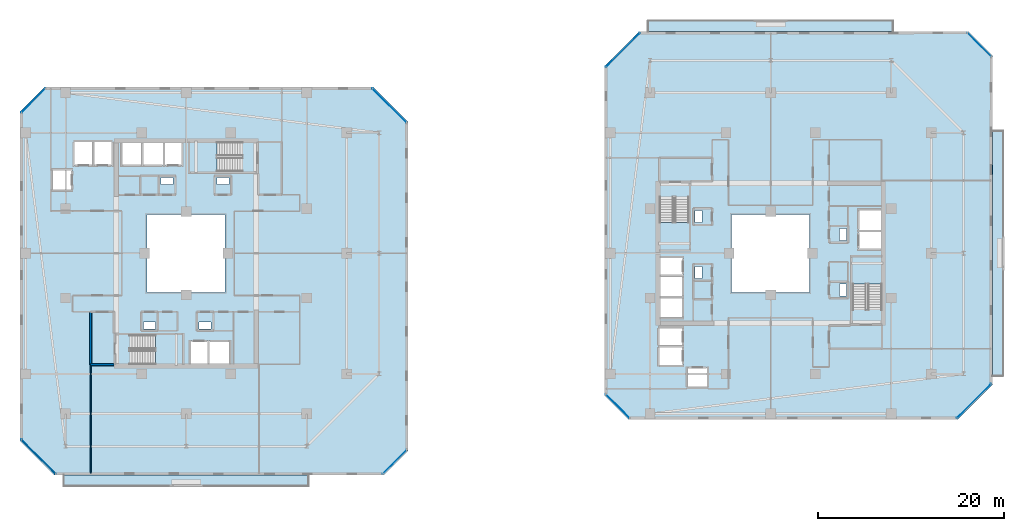
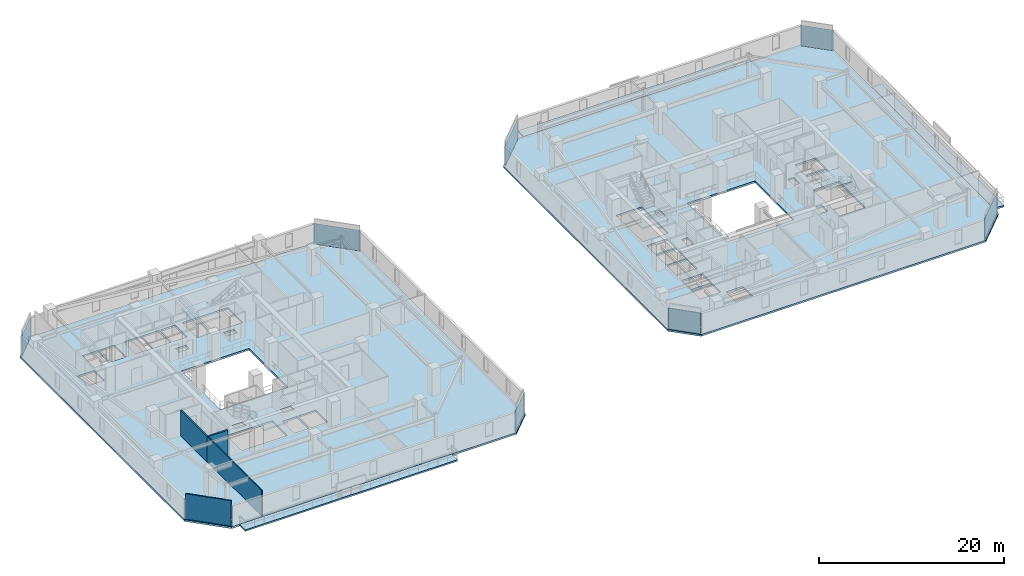
# One storey, part 18 of 32: 9 slabs, 8 plates, 4 walls, 12 elements without a shape of their own.
"""IFC4 building model written with IfcOpenShell, lengths in metres."""

from ifc_helpers import new_model, si_unit, direction, frame, frame_2d, origin, origin_2d, place, context, subcontext, project, spatial, polyline, rectangle, outline, extrude, material, layer, layer_set, type_object, element, aggregate, save


model = new_model("IFC4")

# Units and contexts
model_context = context("Model", 3, precision=1e-05, world=origin(), true_north=direction((0.0, 1.0)))
body_context = subcontext(model_context, "Body", "Model", "MODEL_VIEW")
ifc_project = project(units=[si_unit("LENGTHUNIT", "METRE"), si_unit("AREAUNIT", "SQUARE_METRE"), si_unit("VOLUMEUNIT", "CUBIC_METRE"), si_unit("PLANEANGLEUNIT", "RADIAN"), si_unit("MASSUNIT", "GRAM", prefix="KILO")], contexts=[model_context])

# Site, building, storey
site_placement = place(None, origin())
site = spatial("IfcSite", under=ifc_project, at=site_placement, CompositionType="ELEMENT")
building_placement = place(site_placement, origin())
building = spatial("IfcBuilding", under=site, at=building_placement, Name="Thornwick Lancets Civic Towers", CompositionType="ELEMENT")
storey_placement = place(building_placement, frame((0.0, 0.0, 156.300048828125)))
storey = spatial("IfcBuildingStorey", under=building, at=storey_placement, Name="L41", CompositionType="ELEMENT", Elevation=156.300048828125)

# Curtain wall, plate
ifc_material_1 = material(Name="Mid-zone chamfered-corner unitised glass curtain wall", Category="glass")
curtain_wall_type = type_object("IfcCurtainWallType", Name="CW_SYS_04", PredefinedType="NOTDEFINED", material=ifc_material_1)
curtain_wall_1_placement = place(storey_placement, origin())
curtain_wall_1 = element("IfcCurtainWall", 1, at=curtain_wall_1_placement, inside=storey, type_object=curtain_wall_type, Name="L41 Curtain Wall CW-L41-A-E1", PredefinedType="NOTDEFINED")
ifc_material_2 = material(Name="Low-e double glazing clear glass", Category="glass")
ifc_layer_1 = layer(ifc_material_2, 0.035888671875, Name="Low-e double glazing clear glass")
ifc_layer_set_1 = layer_set([ifc_layer_1], Name="Low-e double glazing clear glass")
plate_type = type_object("IfcPlateType", Name="CW_PNL_GLASS", PredefinedType="CURTAIN_PANEL", material=ifc_layer_set_1)
plate_1_placement = place(storey_placement, frame((47.972900390625, 4.527099609375, 0.0), z_axis=(0.0, 0.0, 1.0), x_axis=(0.707106781187, 0.707106781187, 0.0)))
plate_1 = element("IfcPlate", 2, at=plate_1_placement, type_object=plate_type, Name="CW-L41-A-E1 Panel 0", PredefinedType="CURTAIN_PANEL", context=body_context, shape_type="SweptSolid", body=[
    extrude(rectangle(XDim=3.649169921875, YDim=0.035888671875, at=origin_2d()), origin(), (0.0, 0.0, 1.0), 2.699951171875),
])
aggregate(curtain_wall_1, [plate_1])

curtain_wall_2_placement = place(storey_placement, origin())
curtain_wall_2 = element("IfcCurtainWall", 3, at=curtain_wall_2_placement, inside=storey, type_object=curtain_wall_type, Name="L41 Curtain Wall CW-L41-A-E3", PredefinedType="NOTDEFINED")
plate_2_placement = place(storey_placement, frame((47.41943359375, 42.91943359375, 0.0), z_axis=(0.0, 0.0, 1.0), x_axis=(-0.707106781187, 0.707106781187, 0.0)))
plate_2 = element("IfcPlate", 4, at=plate_2_placement, type_object=plate_type, Name="CW-L41-A-E3 Panel 0", PredefinedType="CURTAIN_PANEL", context=body_context, shape_type="SweptSolid", body=[
    extrude(rectangle(XDim=5.205078125, YDim=0.035888671875, at=origin_2d()), origin(), (0.0, 0.0, 1.0), 2.699951171875),
])
aggregate(curtain_wall_2, [plate_2])

curtain_wall_3_placement = place(storey_placement, origin())
curtain_wall_3 = element("IfcCurtainWall", 5, at=curtain_wall_3_placement, inside=storey, type_object=curtain_wall_type, Name="L41 Curtain Wall CW-L41-A-E5", PredefinedType="NOTDEFINED")
plate_3_placement = place(storey_placement, frame((9.027099609375, 43.472900390625, 0.0), z_axis=(0.0, 0.0, 1.0), x_axis=(-0.707106781187, -0.707106781187, 0.0)))
plate_3 = element("IfcPlate", 6, at=plate_3_placement, type_object=plate_type, Name="CW-L41-A-E5 Panel 0", PredefinedType="CURTAIN_PANEL", context=body_context, shape_type="SweptSolid", body=[
    extrude(rectangle(XDim=3.649169921875, YDim=0.035888671875, at=origin_2d()), origin(), (0.0, 0.0, 1.0), 2.699951171875),
])
aggregate(curtain_wall_3, [plate_3])

curtain_wall_4_placement = place(storey_placement, origin())
curtain_wall_4 = element("IfcCurtainWall", 7, at=curtain_wall_4_placement, inside=storey, type_object=curtain_wall_type, Name="L41 Curtain Wall CW-L41-A-E7", PredefinedType="NOTDEFINED")
plate_4_placement = place(storey_placement, frame((9.580810546875, 5.080810546875, 0.0), z_axis=(0.0, 0.0, 1.0), x_axis=(0.707106781187, -0.707106781187, 0.0)))
plate_4 = element("IfcPlate", 8, at=plate_4_placement, type_object=plate_type, Name="CW-L41-A-E7 Panel 0", PredefinedType="CURTAIN_PANEL", context=body_context, shape_type="SweptSolid", body=[
    extrude(rectangle(XDim=5.205078125, YDim=0.035888671875, at=origin_2d()), origin(), (0.0, 0.0, 1.0), 2.699951171875),
])
aggregate(curtain_wall_4, [plate_4])

curtain_wall_5_placement = place(storey_placement, origin())
curtain_wall_5 = element("IfcCurtainWall", 9, at=curtain_wall_5_placement, inside=storey, type_object=curtain_wall_type, Name="L41 Curtain Wall CW-L41-B-E1", PredefinedType="NOTDEFINED")
plate_5_placement = place(storey_placement, frame((110.419189453125, 11.080810546875, 0.0), z_axis=(0.0, 0.0, 1.0), x_axis=(0.707106781187, 0.707106781187, 0.0)))
plate_5 = element("IfcPlate", 10, at=plate_5_placement, type_object=plate_type, Name="CW-L41-B-E1 Panel 0", PredefinedType="CURTAIN_PANEL", context=body_context, shape_type="SweptSolid", body=[
    extrude(rectangle(XDim=5.205078125, YDim=0.035888671875, at=origin_2d()), origin(), (0.0, 0.0, 1.0), 2.699951171875),
])
aggregate(curtain_wall_5, [plate_5])

curtain_wall_6_placement = place(storey_placement, origin())
curtain_wall_6 = element("IfcCurtainWall", 11, at=curtain_wall_6_placement, inside=storey, type_object=curtain_wall_type, Name="L41 Curtain Wall CW-L41-B-E3", PredefinedType="NOTDEFINED")
plate_6_placement = place(storey_placement, frame((110.972900390625, 49.472900390625, 0.0), z_axis=(0.0, 0.0, 1.0), x_axis=(-0.707106781187, 0.707106781187, 0.0)))
plate_6 = element("IfcPlate", 12, at=plate_6_placement, type_object=plate_type, Name="CW-L41-B-E3 Panel 0", PredefinedType="CURTAIN_PANEL", context=body_context, shape_type="SweptSolid", body=[
    extrude(rectangle(XDim=3.649169921875, YDim=0.035888671875, at=origin_2d()), origin(), (0.0, 0.0, 1.0), 2.699951171875),
])
aggregate(curtain_wall_6, [plate_6])

curtain_wall_7_placement = place(storey_placement, origin())
curtain_wall_7 = element("IfcCurtainWall", 13, at=curtain_wall_7_placement, inside=storey, type_object=curtain_wall_type, Name="L41 Curtain Wall CW-L41-B-E5", PredefinedType="NOTDEFINED")
plate_7_placement = place(storey_placement, frame((72.580810546875, 48.91943359375, 0.0), z_axis=(0.0, 0.0, 1.0), x_axis=(-0.707106781187, -0.707106781187, 0.0)))
plate_7 = element("IfcPlate", 14, at=plate_7_placement, type_object=plate_type, Name="CW-L41-B-E5 Panel 0", PredefinedType="CURTAIN_PANEL", context=body_context, shape_type="SweptSolid", body=[
    extrude(rectangle(XDim=5.205078125, YDim=0.035888671875, at=origin_2d()), origin(), (0.0, 0.0, 1.0), 2.699951171875),
])
aggregate(curtain_wall_7, [plate_7])

curtain_wall_8_placement = place(storey_placement, origin())
curtain_wall_8 = element("IfcCurtainWall", 15, at=curtain_wall_8_placement, inside=storey, type_object=curtain_wall_type, Name="L41 Curtain Wall CW-L41-B-E7", PredefinedType="NOTDEFINED")
plate_8_placement = place(storey_placement, frame((72.027099609375, 10.527099609375, 0.0), z_axis=(0.0, 0.0, 1.0), x_axis=(0.707106781187, -0.707106781187, 0.0)))
plate_8 = element("IfcPlate", 16, at=plate_8_placement, type_object=plate_type, Name="CW-L41-B-E7 Panel 0", PredefinedType="CURTAIN_PANEL", context=body_context, shape_type="SweptSolid", body=[
    extrude(rectangle(XDim=3.649169921875, YDim=0.035888671875, at=origin_2d()), origin(), (0.0, 0.0, 1.0), 2.699951171875),
])
aggregate(curtain_wall_8, [plate_8])

# Slabs
ifc_material_3 = material(Name="Post-tensioned concrete C40/50", Category="concrete")
ifc_layer_2 = layer(ifc_material_3, 0.199951171875, Name="Post-tensioned concrete C40/50")
ifc_layer_set_2 = layer_set([ifc_layer_2], Name="Post-tensioned concrete C40/50")
slab_type_1 = type_object("IfcSlabType", Name="SLAB_BALCONY_200", PredefinedType="FLOOR", material=ifc_layer_set_2)
slab_1_placement = place(storey_placement, frame((0.0, 0.0, -0.199951171875)))
element("IfcSlab", 17, at=slab_1_placement, inside=storey, type_object=slab_type_1, Name="L41 Tower A Planted Balcony Slab S", PredefinedType="FLOOR", context=body_context, shape_type="SweptSolid", body=[
    extrude(outline(polyline([(12.300048828125, 1.85009765625), (38.699951171875, 1.85009765625), (38.699951171875, 3.10009765625), (12.300048828125, 3.10009765625), (12.300048828125, 1.85009765625)])), origin(), (0.0, 0.0, 1.0), 0.199951171875),
])
slab_2_placement = place(storey_placement, frame((0.0, 0.0, -0.199951171875)))
element("IfcSlab", 18, at=slab_2_placement, inside=storey, type_object=slab_type_1, Name="L41 Tower B Planted Balcony Slab E", PredefinedType="FLOOR", context=body_context, shape_type="SweptSolid", body=[
    extrude(outline(polyline([(112.39990234375, 13.800048828125), (113.64990234375, 13.800048828125), (113.64990234375, 40.199951171875), (112.39990234375, 40.199951171875), (112.39990234375, 13.800048828125)])), origin(), (0.0, 0.0, 1.0), 0.199951171875),
])
slab_3_placement = place(storey_placement, frame((0.0, 0.0, -0.199951171875)))
element("IfcSlab", 19, at=slab_3_placement, inside=storey, type_object=slab_type_1, Name="L41 Tower B Planted Balcony Slab N", PredefinedType="FLOOR", context=body_context, shape_type="SweptSolid", body=[
    extrude(outline(polyline([(75.300048828125, 50.89990234375), (101.699951171875, 50.89990234375), (101.699951171875, 52.14990234375), (75.300048828125, 52.14990234375), (75.300048828125, 50.89990234375)])), origin(), (0.0, 0.0, 1.0), 0.199951171875),
])

# Stair, slab
ifc_material_4 = material(Name="Concrete C40/50", Category="concrete")
stair_type = type_object("IfcStairType", Name="STAIR_DL_3600", PredefinedType="HALF_TURN_STAIR", material=ifc_material_4)
stair_1_placement = place(storey_placement, origin())
stair_1 = element("IfcStair", 20, at=stair_1_placement, inside=storey, type_object=stair_type, Name="L41 Tower A South Exit Stair ST-A1", PredefinedType="HALF_TURN_STAIR")
ifc_layer_3 = layer(ifc_material_4, 0.25, Name="Concrete C40/50")
ifc_layer_set_3 = layer_set([ifc_layer_3], Name="Concrete C40/50")
slab_type_2 = type_object("IfcSlabType", Name="SLAB_LANDING_200", PredefinedType="LANDING", material=ifc_layer_set_3)
slab_4_placement = place(storey_placement, frame((0.0, 0.0, 1.60302734375)))
slab_4 = element("IfcSlab", 21, at=slab_4_placement, type_object=slab_type_2, Name="ST-A1 landing 1", PredefinedType="LANDING", context=body_context, shape_type="SweptSolid", body=[
    extrude(outline(polyline([(22.169921875, 14.93994140625), (25.14990234375, 14.93994140625), (25.14990234375, 18.260009765625), (22.169921875, 18.260009765625), (22.169921875, 14.93994140625)])), origin(), (0.0, 0.0, 1.0), 0.199951171875),
])
aggregate(stair_1, [slab_4])

stair_2_placement = place(storey_placement, origin())
stair_2 = element("IfcStair", 22, at=stair_2_placement, inside=storey, type_object=stair_type, Name="L41 Tower A North Exit Stair ST-A2", PredefinedType="HALF_TURN_STAIR")
slab_5_placement = place(storey_placement, frame((0.0, 0.0, 1.60302734375)))
slab_5 = element("IfcSlab", 23, at=slab_5_placement, type_object=slab_type_2, Name="ST-A2 landing 1", PredefinedType="LANDING", context=body_context, shape_type="SweptSolid", body=[
    extrude(outline(polyline([(28.830078125, 39.06005859375), (25.85009765625, 39.06005859375), (25.85009765625, 35.739990234375), (28.830078125, 35.739990234375), (28.830078125, 39.06005859375)])), origin(), (0.0, 0.0, 1.0), 0.199951171875),
])
aggregate(stair_2, [slab_5])

stair_3_placement = place(storey_placement, origin())
stair_3 = element("IfcStair", 24, at=stair_3_placement, inside=storey, type_object=stair_type, Name="L41 Tower B East Exit Stair ST-B1", PredefinedType="HALF_TURN_STAIR")
slab_6_placement = place(storey_placement, frame((0.0, 0.0, 1.60302734375)))
slab_6 = element("IfcSlab", 25, at=slab_6_placement, type_object=slab_type_2, Name="ST-B1 landing 1", PredefinedType="LANDING", context=body_context, shape_type="SweptSolid", body=[
    extrude(outline(polyline([(100.56005859375, 23.669921875), (100.56005859375, 26.64990234375), (97.239990234375, 26.64990234375), (97.239990234375, 23.669921875), (100.56005859375, 23.669921875)])), origin(), (0.0, 0.0, 1.0), 0.199951171875),
])
aggregate(stair_3, [slab_6])

stair_4_placement = place(storey_placement, origin())
stair_4 = element("IfcStair", 26, at=stair_4_placement, inside=storey, type_object=stair_type, Name="L41 Tower B West Exit Stair ST-B2", PredefinedType="HALF_TURN_STAIR")
slab_7_placement = place(storey_placement, frame((0.0, 0.0, 1.60302734375)))
slab_7 = element("IfcSlab", 27, at=slab_7_placement, type_object=slab_type_2, Name="ST-B2 landing 1", PredefinedType="LANDING", context=body_context, shape_type="SweptSolid", body=[
    extrude(outline(polyline([(76.43994140625, 30.330078125), (76.43994140625, 27.35009765625), (79.760009765625, 27.35009765625), (79.760009765625, 30.330078125), (76.43994140625, 30.330078125)])), origin(), (0.0, 0.0, 1.0), 0.199951171875),
])
aggregate(stair_4, [slab_7])

# Slabs
ifc_layer_4 = layer(ifc_material_3, 0.239990234375, Name="Post-tensioned concrete C40/50")
ifc_layer_set_4 = layer_set([ifc_layer_4], Name="Post-tensioned concrete C40/50")
slab_type_3 = type_object("IfcSlabType", Name="SLAB_PT_240", PredefinedType="FLOOR", material=ifc_layer_set_4)
slab_8_placement = place(storey_placement, frame((0.0, 0.0, -0.239990234375)))
element("IfcSlab", 28, at=slab_8_placement, inside=storey, type_object=slab_type_3, Name="L41 Tower A Floor Slab", PredefinedType="FLOOR", context=body_context, shape_type="SweptSolid", body=[
    extrude(outline(polyline([(11.30810546875, 3.10009765625), (46.800048828125, 3.10009765625), (49.39990234375, 5.699951171875), (49.39990234375, 41.19189453125), (45.69189453125, 44.89990234375), (10.199951171875, 44.89990234375), (7.60009765625, 42.300048828125), (7.60009765625, 6.80810546875), (11.30810546875, 3.10009765625)]), holes=[polyline([(21.300048828125, 22.800048828125), (29.699951171875, 22.800048828125), (29.699951171875, 31.199951171875), (21.300048828125, 31.199951171875), (21.300048828125, 22.800048828125)]), polyline([(19.429931640625, 15.0), (25.10009765625, 15.0), (25.10009765625, 18.199951171875), (19.429931640625, 18.199951171875), (19.429931640625, 15.0)]), polyline([(31.570068359375, 39.0), (25.89990234375, 39.0), (25.89990234375, 35.800048828125), (31.570068359375, 35.800048828125), (31.570068359375, 39.0)]), polyline([(26.0, 15.0), (27.800048828125, 15.0), (27.800048828125, 17.550048828125), (26.0, 17.550048828125), (26.0, 15.0)]), polyline([(28.0, 15.0), (30.14990234375, 15.0), (30.14990234375, 17.550048828125), (28.0, 17.550048828125), (28.0, 15.0)]), polyline([(23.199951171875, 36.449951171875), (25.0, 36.449951171875), (25.0, 39.0), (23.199951171875, 39.0), (23.199951171875, 36.449951171875)]), polyline([(20.85009765625, 36.449951171875), (23.0, 36.449951171875), (23.0, 39.0), (20.85009765625, 39.0), (20.85009765625, 36.449951171875)]), polyline([(18.60009765625, 36.449951171875), (20.699951171875, 36.449951171875), (20.699951171875, 39.0), (18.60009765625, 39.0), (18.60009765625, 36.449951171875)]), polyline([(15.550048828125, 36.449951171875), (17.449951171875, 36.449951171875), (17.449951171875, 39.0), (15.550048828125, 39.0), (15.550048828125, 36.449951171875)]), polyline([(13.449951171875, 36.449951171875), (15.39990234375, 36.449951171875), (15.39990234375, 39.0), (13.449951171875, 39.0), (13.449951171875, 36.449951171875)]), polyline([(11.10009765625, 33.85009765625), (13.199951171875, 33.85009765625), (13.199951171875, 35.949951171875), (11.10009765625, 35.949951171875), (11.10009765625, 33.85009765625)]), polyline([(26.89990234375, 18.85009765625), (28.199951171875, 18.85009765625), (28.199951171875, 19.580078125), (26.89990234375, 19.580078125), (26.89990234375, 18.85009765625)]), polyline([(20.89990234375, 18.85009765625), (22.199951171875, 18.85009765625), (22.199951171875, 19.580078125), (20.89990234375, 19.580078125), (20.89990234375, 18.85009765625)]), polyline([(22.800048828125, 34.419921875), (24.10009765625, 34.419921875), (24.10009765625, 35.14990234375), (22.800048828125, 35.14990234375), (22.800048828125, 34.419921875)]), polyline([(28.800048828125, 34.419921875), (30.10009765625, 34.419921875), (30.10009765625, 35.14990234375), (28.800048828125, 35.14990234375), (28.800048828125, 34.419921875)])]), origin(), (0.0, 0.0, 1.0), 0.239990234375),
])
slab_9_placement = place(storey_placement, frame((0.0, 0.0, -0.239990234375)))
element("IfcSlab", 29, at=slab_9_placement, inside=storey, type_object=slab_type_3, Name="L41 Tower B Floor Slab", PredefinedType="FLOOR", context=body_context, shape_type="SweptSolid", body=[
    extrude(outline(polyline([(73.199951171875, 9.10009765625), (108.69189453125, 9.10009765625), (112.39990234375, 12.80810546875), (112.39990234375, 48.300048828125), (109.800048828125, 50.89990234375), (74.30810546875, 50.89990234375), (70.60009765625, 47.19189453125), (70.60009765625, 11.699951171875), (73.199951171875, 9.10009765625)]), holes=[polyline([(84.300048828125, 22.800048828125), (92.699951171875, 22.800048828125), (92.699951171875, 31.199951171875), (84.300048828125, 31.199951171875), (84.300048828125, 22.800048828125)]), polyline([(100.5, 20.929931640625), (100.5, 26.60009765625), (97.300048828125, 26.60009765625), (97.300048828125, 20.929931640625), (100.5, 20.929931640625)]), polyline([(76.5, 33.070068359375), (76.5, 27.39990234375), (79.699951171875, 27.39990234375), (79.699951171875, 33.070068359375), (76.5, 33.070068359375)]), polyline([(97.949951171875, 27.5), (100.5, 27.5), (100.5, 29.300048828125), (97.949951171875, 29.300048828125), (97.949951171875, 27.5)]), polyline([(97.949951171875, 29.5), (100.5, 29.5), (100.5, 31.64990234375), (97.949951171875, 31.64990234375), (97.949951171875, 29.5)]), polyline([(76.5, 24.699951171875), (79.050048828125, 24.699951171875), (79.050048828125, 26.5), (76.5, 26.5), (76.5, 24.699951171875)]), polyline([(76.5, 22.35009765625), (79.050048828125, 22.35009765625), (79.050048828125, 24.5), (76.5, 24.5), (76.5, 22.35009765625)]), polyline([(76.5, 20.10009765625), (79.050048828125, 20.10009765625), (79.050048828125, 22.199951171875), (76.5, 22.199951171875), (76.5, 20.10009765625)]), polyline([(76.5, 17.050048828125), (79.050048828125, 17.050048828125), (79.050048828125, 18.949951171875), (76.5, 18.949951171875), (76.5, 17.050048828125)]), polyline([(76.5, 14.949951171875), (79.050048828125, 14.949951171875), (79.050048828125, 16.89990234375), (76.5, 16.89990234375), (76.5, 14.949951171875)]), polyline([(79.550048828125, 12.60009765625), (81.64990234375, 12.60009765625), (81.64990234375, 14.699951171875), (79.550048828125, 14.699951171875), (79.550048828125, 12.60009765625)]), polyline([(95.919921875, 28.39990234375), (96.64990234375, 28.39990234375), (96.64990234375, 29.699951171875), (95.919921875, 29.699951171875), (95.919921875, 28.39990234375)]), polyline([(95.919921875, 22.39990234375), (96.64990234375, 22.39990234375), (96.64990234375, 23.699951171875), (95.919921875, 23.699951171875), (95.919921875, 22.39990234375)]), polyline([(80.35009765625, 24.300048828125), (81.080078125, 24.300048828125), (81.080078125, 25.60009765625), (80.35009765625, 25.60009765625), (80.35009765625, 24.300048828125)]), polyline([(80.35009765625, 30.300048828125), (81.080078125, 30.300048828125), (81.080078125, 31.60009765625), (80.35009765625, 31.60009765625), (80.35009765625, 30.300048828125)])]), origin(), (0.0, 0.0, 1.0), 0.239990234375),
])

# Walls
ifc_material_5 = material(Name="Concrete blockwork C40/50", Category="masonry")
ifc_layer_5 = layer(ifc_material_5, 0.199951171875, Name="Concrete blockwork C40/50")
ifc_layer_set_5 = layer_set([ifc_layer_5], Name="Concrete blockwork C40/50")
wall_type_1 = type_object("IfcWallType", Name="WALL_COMP_200", PredefinedType="STANDARD", material=ifc_layer_set_5)
wall_1_placement = place(storey_placement, frame((15.199951171875, 15.0, 0.0), z_axis=(0.0, 0.0, 1.0), x_axis=(1.0, 0.0, 0.0)))
element("IfcWall", 30, at=wall_1_placement, inside=storey, type_object=wall_type_1, Name="L41 Partition L41-A-FFLOB1 E1", PredefinedType="STANDARD", context=body_context, shape_type="SweptSolid", body=[
    extrude(rectangle(XDim=2.5, YDim=0.199951171875, at=frame_2d((1.25, 0.0))), origin(), (0.0, 0.0, 1.0), 3.33984375),
])
wall_2_placement = place(storey_placement, frame((15.199951171875, 20.699951171875, 0.0), z_axis=(0.0, 0.0, 1.0), x_axis=(0.0, -1.0, 0.0)))
element("IfcWall", 31, at=wall_2_placement, inside=storey, type_object=wall_type_1, Name="L41 Partition L41-A-FFLOB1 E4", PredefinedType="STANDARD", context=body_context, shape_type="SweptSolid", body=[
    extrude(rectangle(XDim=5.699951171875, YDim=0.199951171875, at=frame_2d((2.85009765625, 0.0))), origin(), (0.0, 0.0, 1.0), 3.33984375),
])
ifc_material_6 = material(Name="Acoustic gypsum board partition")
ifc_layer_6 = layer(ifc_material_6, 0.1201171875, Name="Acoustic gypsum board partition")
ifc_layer_set_6 = layer_set([ifc_layer_6], Name="Acoustic gypsum board partition")
wall_type_2 = type_object("IfcWallType", Name="WALL_PART_120", PredefinedType="PARTITIONING", material=ifc_layer_set_6)
wall_3_placement = place(storey_placement, frame((15.199951171875, 15.0, 0.0), z_axis=(0.0, 0.0, 1.0), x_axis=(0.0, -1.0, 0.0)))
element("IfcWall", 32, at=wall_3_placement, inside=storey, type_object=wall_type_2, Name="L41 Partition L41-A-W1 E6", PredefinedType="PARTITIONING", context=body_context, shape_type="SweptSolid", body=[
    extrude(rectangle(XDim=11.719970703125, YDim=0.1201171875, at=frame_2d((5.85986328125, 0.0))), origin(), (0.0, 0.0, 1.0), 3.33984375),
])
wall_4_placement = place(storey_placement, frame((11.382568359375, 3.280029296875, 0.0), z_axis=(0.0, 0.0, 1.0), x_axis=(-0.707106781187, 0.707106781187, 0.0)))
element("IfcWall", 33, at=wall_4_placement, inside=storey, type_object=wall_type_2, Name="L41 Partition L41-A-W1 E8", PredefinedType="PARTITIONING", context=body_context, shape_type="SweptSolid", body=[
    extrude(rectangle(XDim=5.0947265625, YDim=0.1201171875, at=frame_2d((2.54736328125, 0.0))), origin(), (0.0, 0.0, 1.0), 3.33984375),
])

save(model, "model.ifc")
